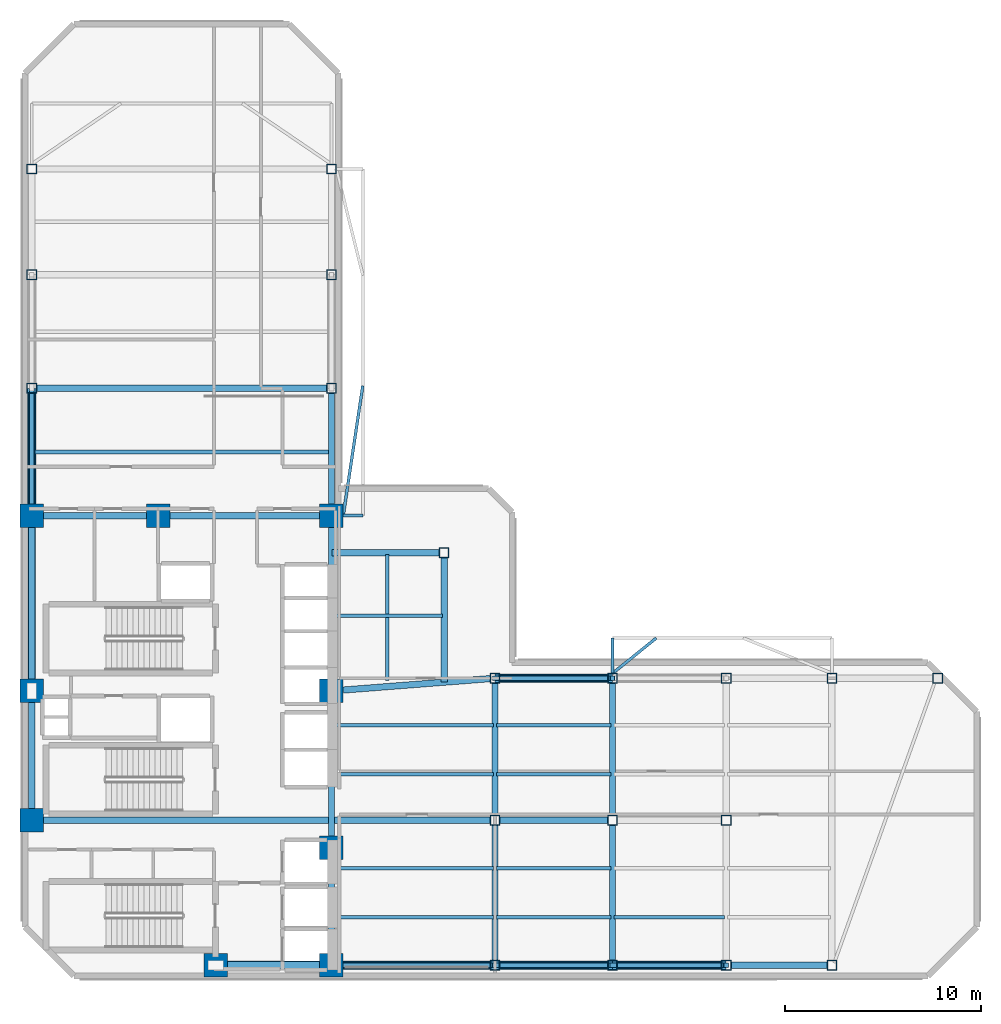
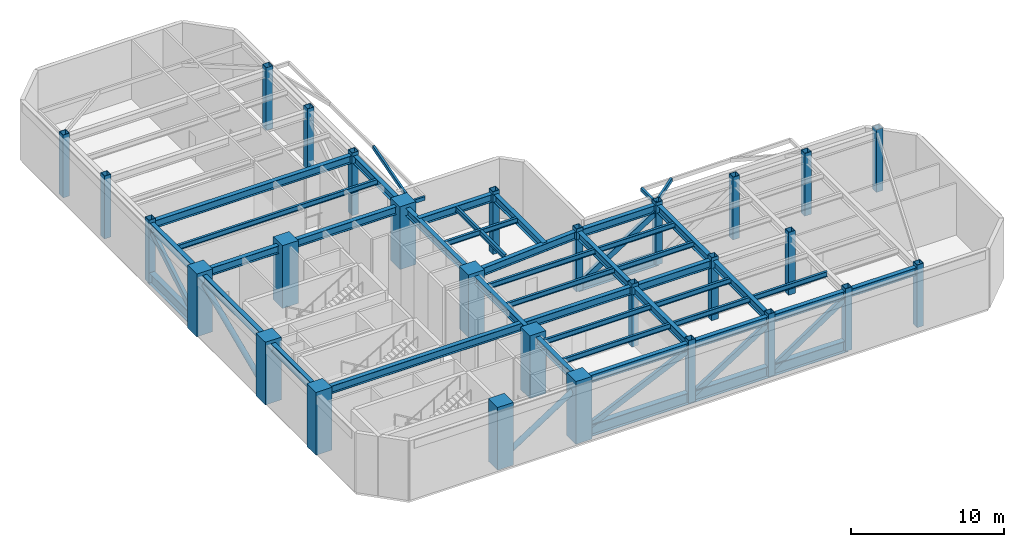
# One storey, part 1 of 9: 40 beams, 28 columns, 12 members.
"""IFC4 building model written with IfcOpenShell, lengths in metres."""

from ifc_helpers import new_model, si_unit, direction, frame, origin, origin_2d, place, context, subcontext, project, spatial, rectangle, hollow_rectangle, hollow_circle, i_section, extrude, material, material_profile, profile_set, type_object, element, save


model = new_model("IFC4")

# Units and contexts
model_context = context("Model", 3, precision=1e-05, world=origin(), true_north=direction((0.0, 1.0)))
body_context = subcontext(model_context, "Body", "Model", "MODEL_VIEW")
ifc_project = project(units=[si_unit("LENGTHUNIT", "METRE"), si_unit("AREAUNIT", "SQUARE_METRE"), si_unit("VOLUMEUNIT", "CUBIC_METRE"), si_unit("PLANEANGLEUNIT", "RADIAN"), si_unit("MASSUNIT", "GRAM", prefix="KILO")], contexts=[model_context])

# Site, building, storey
site_placement = place(None, origin())
site = spatial("IfcSite", under=ifc_project, at=site_placement, CompositionType="ELEMENT")
building_placement = place(site_placement, origin())
building = spatial("IfcBuilding", under=site, at=building_placement, Name="Mawjaban Terraces University", CompositionType="ELEMENT")
storey_placement = place(building_placement, frame((0.0, 0.0, 165.800048828125)))
storey = spatial("IfcBuildingStorey", under=building, at=storey_placement, Name="L40", CompositionType="ELEMENT", Elevation=165.800048828125)

# Columns
ifc_material_1 = material(Name="Concrete C60/75", Category="concrete")
ifc_material_profile_1 = material_profile(ifc_material_1, rectangle(XDim=1.199951171875, YDim=1.199951171875, at=origin_2d()), Name="RC1200X1200")
ifc_profile_set_1 = profile_set([ifc_material_profile_1], Name="Concrete C60/75")
column_type_1 = type_object("IfcColumnType", Name="Col_RC1200X1200", PredefinedType="COLUMN", material=ifc_profile_set_1)
for number, where, z_axis, x_axis, name in (
    (1, (31.75, 0.550048828125, 0.0), (0.0, 0.0, 1.0), (1.0, 0.0, 0.0), "L40 Column CC2"),
    (2, (37.64990234375, 0.550048828125, 0.0), (0.0, 0.0, 1.0), (1.0, 0.0, 0.0), "L40 Column CC3"),
    (3, (22.35009765625, 7.949951171875, 0.0), (0.0, 0.0, 1.0), (1.0, 0.0, 0.0), "L40 Column CC4"),
    (4, (37.64990234375, 6.550048828125, 0.0), (0.0, 0.0, 1.0), (1.0, 0.0, 0.0), "L40 Column CC5"),
    (5, (22.35009765625, 14.550048828125, 0.0), (0.0, 0.0, 1.0), (1.0, 0.0, 0.0), "L40 Column CC6"),
    (6, (37.64990234375, 14.550048828125, 0.0), (0.0, 0.0, 1.0), (1.0, 0.0, 0.0), "L40 Column CC7"),
    (7, (22.35009765625, 23.5, 0.0), (0.0, 0.0, 1.0), (1.0, 0.0, 0.0), "L40 Column CC8"),
    (8, (28.800048828125, 23.5, 0.0), (0.0, 0.0, 1.0), (1.0, 0.0, 0.0), "L40 Column CC9"),
    (9, (37.64990234375, 23.5, 0.0), (0.0, 0.0, 1.0), (1.0, 0.0, 0.0), "L40 Column CC10"),
):
    element("IfcColumn", number, at=place(storey_placement, frame(where, z_axis=z_axis, x_axis=x_axis)), inside=storey, type_object=column_type_1, Name=name, PredefinedType="COLUMN", context=body_context, shape_type="SweptSolid", body=[
        extrude(rectangle(XDim=1.199951171875, YDim=1.199951171875, at=origin_2d()), origin(), (0.0, 0.0, 1.0), 5.0),
    ])
ifc_material_2 = material(Name="Steel EN 10210-1 S355J2H", Category="steel")
ifc_material_profile_2 = material_profile(ifc_material_2, hollow_rectangle(XDim=0.5, YDim=0.5, WallThickness=0.02490234375, at=origin_2d()), Name="SHS500X500X25")
ifc_profile_set_2 = profile_set([ifc_material_profile_2], Name="Steel EN 10210-1 S355J2H")
column_type_2 = type_object("IfcColumnType", Name="Col_SHS500X500X25", PredefinedType="COLUMN", material=ifc_profile_set_2)
for number, where, z_axis, x_axis, name in (
    (10, (46.0, 0.550048828125, 0.0), (0.0, 0.0, 1.0), (1.0, 0.0, 0.0), "L40 Column TE-460-005"),
    (11, (46.0, 7.949951171875, 0.0), (0.0, 0.0, 1.0), (1.0, 0.0, 0.0), "L40 Column TE-460-080"),
    (12, (46.0, 15.199951171875, 0.0), (0.0, 0.0, 1.0), (1.0, 0.0, 0.0), "L40 Column TE-460-152"),
    (13, (52.0, 0.550048828125, 0.0), (0.0, 0.0, 1.0), (1.0, 0.0, 0.0), "L40 Column TE-520-005"),
    (14, (52.0, 7.949951171875, 0.0), (0.0, 0.0, 1.0), (1.0, 0.0, 0.0), "L40 Column TE-520-080"),
    (15, (52.0, 15.199951171875, 0.0), (0.0, 0.0, 1.0), (1.0, 0.0, 0.0), "L40 Column TE-520-152"),
    (16, (57.800048828125, 0.550048828125, 0.0), (0.0, 0.0, 1.0), (1.0, 0.0, 0.0), "L40 Column TE-578-005"),
    (17, (57.800048828125, 7.949951171875, 0.0), (0.0, 0.0, 1.0), (1.0, 0.0, 0.0), "L40 Column TE-578-080"),
    (18, (57.800048828125, 15.199951171875, 0.0), (0.0, 0.0, 1.0), (1.0, 0.0, 0.0), "L40 Column TE-578-152"),
    (19, (63.199951171875, 0.550048828125, 0.0), (0.0, 0.0, 1.0), (1.0, 0.0, 0.0), "L40 Column TE-632-005"),
    (20, (63.199951171875, 15.199951171875, 0.0), (0.0, 0.0, 1.0), (1.0, 0.0, 0.0), "L40 Column TE-632-152"),
    (21, (68.60009765625, 15.199951171875, 0.0), (0.0, 0.0, 1.0), (1.0, 0.0, 0.0), "L40 Column TE-686-152"),
    (22, (22.35009765625, 30.0, 0.0), (0.0, 0.0, 1.0), (1.0, 0.0, 0.0), "L40 Column TN-223-300"),
    (23, (37.64990234375, 30.0, 0.0), (0.0, 0.0, 1.0), (1.0, 0.0, 0.0), "L40 Column TN-376-300"),
    (24, (22.35009765625, 35.800048828125, 0.0), (0.0, 0.0, 1.0), (1.0, 0.0, 0.0), "L40 Column TN-223-358"),
    (25, (37.64990234375, 35.800048828125, 0.0), (0.0, 0.0, 1.0), (1.0, 0.0, 0.0), "L40 Column TN-376-358"),
    (26, (22.35009765625, 41.199951171875, 0.0), (0.0, 0.0, 1.0), (1.0, 0.0, 0.0), "L40 Column TN-223-412"),
    (27, (37.64990234375, 41.199951171875, 0.0), (0.0, 0.0, 1.0), (1.0, 0.0, 0.0), "L40 Column TN-376-412"),
    (28, (43.39990234375, 21.60009765625, 0.0), (0.0, 0.0, 1.0), (1.0, 0.0, 0.0), "L40 Column TS-434-216"),
):
    element("IfcColumn", number, at=place(storey_placement, frame(where, z_axis=z_axis, x_axis=x_axis)), inside=storey, type_object=column_type_2, Name=name, PredefinedType="COLUMN", context=body_context, shape_type="SweptSolid", body=[
        extrude(hollow_rectangle(XDim=0.5, YDim=0.5, WallThickness=0.02490234375, at=origin_2d()), origin(), (0.0, 0.0, 1.0), 5.0),
    ])

# Beams
ifc_material_profile_3 = material_profile(ifc_material_2, hollow_rectangle(XDim=0.14990234375, YDim=0.300048828125, WallThickness=0.012451171875, at=origin_2d()), Name="RHS300X150X12.5")
ifc_profile_set_3 = profile_set([ifc_material_profile_3], Name="Steel EN 10210-1 S355J2H")
beam_type_1 = type_object("IfcBeamType", Name="BalconyCantileverSpandrel_RHS", PredefinedType="SPANDREL", material=ifc_profile_set_3)
beam_1_placement = place(storey_placement, frame((52.0, 15.449951171875, 4.58984375), z_axis=(0.0, 1.0, 0.0), x_axis=(-1.0, 0.0, 0.0)))
element("IfcBeam", 29, at=beam_1_placement, inside=storey, type_object=beam_type_1, Name="L40 Exterior Outrigger BAL-L41-N.1", PredefinedType="SPANDREL", context=body_context, shape_type="SweptSolid", body=[
    extrude(hollow_rectangle(XDim=0.14990234375, YDim=0.300048828125, WallThickness=0.012451171875, at=origin_2d()), origin(), (0.0, 0.0, 1.0), 1.800048828125),
])
beam_2_placement = place(storey_placement, frame((52.0, 15.449951171875, 4.58984375), z_axis=(0.77812693244, 0.628107058559, 0.0), x_axis=(-0.628107058559, 0.77812693244, 0.0)))
element("IfcBeam", 30, at=beam_2_placement, inside=storey, type_object=beam_type_1, Name="L40 Exterior Diagonal Strut BAL-L41-N.1", PredefinedType="SPANDREL", context=body_context, shape_type="SweptSolid", body=[
    extrude(hollow_rectangle(XDim=0.14990234375, YDim=0.300048828125, WallThickness=0.012451171875, at=origin_2d()), origin(), (0.0, 0.0, 1.0), 2.86572265625),
])
beam_3_placement = place(storey_placement, frame((38.25, 23.5, 4.58984375), z_axis=(1.0, 0.0, 0.0), x_axis=(0.0, 1.0, 0.0)))
element("IfcBeam", 31, at=beam_3_placement, inside=storey, type_object=beam_type_1, Name="L40 Exterior Outrigger BAL-L41-E.1", PredefinedType="SPANDREL", context=body_context, shape_type="SweptSolid", body=[
    extrude(hollow_rectangle(XDim=0.14990234375, YDim=0.300048828125, WallThickness=0.012451171875, at=origin_2d()), origin(), (0.0, 0.0, 1.0), 1.0),
])
beam_4_placement = place(storey_placement, frame((38.25, 23.5, 4.58984375), z_axis=(0.149145215916, 0.988815303568, 0.0), x_axis=(-0.988815303568, 0.149145215916, 0.0)))
element("IfcBeam", 32, at=beam_4_placement, inside=storey, type_object=beam_type_1, Name="L40 Exterior Diagonal Strut BAL-L41-E.1", PredefinedType="SPANDREL", context=body_context, shape_type="SweptSolid", body=[
    extrude(hollow_rectangle(XDim=0.14990234375, YDim=0.300048828125, WallThickness=0.012451171875, at=origin_2d()), origin(), (0.0, 0.0, 1.0), 6.704833984375),
])
ifc_material_3 = material(Name="Steel ASTM A572 Grade 50", Category="steel")
ifc_material_profile_4 = material_profile(ifc_material_3, i_section(OverallWidth=0.324951171875, OverallDepth=0.615966796875, WebThickness=0.013916015625, FlangeThickness=0.021484375, at=origin_2d()), Name="W610X174")
ifc_profile_set_4 = profile_set([ifc_material_profile_4], Name="Steel ASTM A572 Grade 50")
beam_type_2 = type_object("IfcBeamType", Name="Beam_B_W610X174", PredefinedType="BEAM", material=ifc_profile_set_4)
beam_5_placement = place(storey_placement, frame((38.25, 0.550048828125, 4.431884765625), z_axis=(1.0, 0.0, 0.0), x_axis=(0.0, 1.0, 0.0)))
element("IfcBeam", 33, at=beam_5_placement, inside=storey, type_object=beam_type_2, Name="L40 Beam BM-L40-EW-01", PredefinedType="BEAM", context=body_context, shape_type="SweptSolid", body=[
    extrude(i_section(OverallWidth=0.324951171875, OverallDepth=0.615966796875, WebThickness=0.013916015625, FlangeThickness=0.021484375, at=origin_2d()), origin(), (0.0, 0.0, 1.0), 7.5),
])
beam_6_placement = place(storey_placement, frame((46.25, 0.550048828125, 4.431884765625), z_axis=(1.0, 0.0, 0.0), x_axis=(0.0, 1.0, 0.0)))
element("IfcBeam", 34, at=beam_6_placement, inside=storey, type_object=beam_type_2, Name="L40 Beam BM-L40-EW-02", PredefinedType="BEAM", context=body_context, shape_type="SweptSolid", body=[
    extrude(i_section(OverallWidth=0.324951171875, OverallDepth=0.615966796875, WebThickness=0.013916015625, FlangeThickness=0.021484375, at=origin_2d()), origin(), (0.0, 0.0, 1.0), 5.5),
])
beam_7_placement = place(storey_placement, frame((52.25, 0.550048828125, 4.431884765625), z_axis=(1.0, 0.0, 0.0), x_axis=(0.0, 1.0, 0.0)))
element("IfcBeam", 35, at=beam_7_placement, inside=storey, type_object=beam_type_2, Name="L40 Beam BM-L40-EW-03", PredefinedType="BEAM", context=body_context, shape_type="SweptSolid", body=[
    extrude(i_section(OverallWidth=0.324951171875, OverallDepth=0.615966796875, WebThickness=0.013916015625, FlangeThickness=0.021484375, at=origin_2d()), origin(), (0.0, 0.0, 1.0), 5.300048828125),
])
beam_8_placement = place(storey_placement, frame((58.050048828125, 0.550048828125, 4.431884765625), z_axis=(1.0, 0.0, 0.0), x_axis=(0.0, 1.0, 0.0)))
element("IfcBeam", 36, at=beam_8_placement, inside=storey, type_object=beam_type_2, Name="L40 Beam BM-L40-EW-04", PredefinedType="BEAM", context=body_context, shape_type="SweptSolid", body=[
    extrude(i_section(OverallWidth=0.324951171875, OverallDepth=0.615966796875, WebThickness=0.013916015625, FlangeThickness=0.021484375, at=origin_2d()), origin(), (0.0, 0.0, 1.0), 4.89990234375),
])
beam_9_placement = place(storey_placement, frame((22.949951171875, 7.949951171875, 4.431884765625), z_axis=(1.0, 0.0, 0.0), x_axis=(0.0, 1.0, 0.0)))
element("IfcBeam", 37, at=beam_9_placement, inside=storey, type_object=beam_type_2, Name="L40 Beam BM-L40-EW-05", PredefinedType="BEAM", context=body_context, shape_type="SweptSolid", body=[
    extrude(i_section(OverallWidth=0.324951171875, OverallDepth=0.615966796875, WebThickness=0.013916015625, FlangeThickness=0.021484375, at=origin_2d()), origin(), (0.0, 0.0, 1.0), 22.800048828125),
])
for number, where, z_axis, x_axis, name in (
    (38, (46.25, 7.949951171875, 4.431884765625), (1.0, 0.0, 0.0), (0.0, 1.0, 0.0), "L40 Beam BM-L40-EW-06"),
    (39, (46.25, 15.199951171875, 4.431884765625), (1.0, 0.0, 0.0), (0.0, 1.0, 0.0), "L40 Beam BM-L40-EW-08"),
):
    element("IfcBeam", number, at=place(storey_placement, frame(where, z_axis=z_axis, x_axis=x_axis)), inside=storey, type_object=beam_type_2, Name=name, PredefinedType="BEAM", context=body_context, shape_type="SweptSolid", body=[
        extrude(i_section(OverallWidth=0.324951171875, OverallDepth=0.615966796875, WebThickness=0.013916015625, FlangeThickness=0.021484375, at=origin_2d()), origin(), (0.0, 0.0, 1.0), 5.5),
    ])
beam_10_placement = place(storey_placement, frame((22.949951171875, 23.5, 4.431884765625), z_axis=(1.0, 0.0, 0.0), x_axis=(0.0, 1.0, 0.0)))
element("IfcBeam", 40, at=beam_10_placement, inside=storey, type_object=beam_type_2, Name="L40 Beam BM-L40-EW-12", PredefinedType="BEAM", context=body_context, shape_type="SweptSolid", body=[
    extrude(i_section(OverallWidth=0.324951171875, OverallDepth=0.615966796875, WebThickness=0.013916015625, FlangeThickness=0.021484375, at=origin_2d()), origin(), (0.0, 0.0, 1.0), 5.25),
])
beam_11_placement = place(storey_placement, frame((29.39990234375, 23.5, 4.431884765625), z_axis=(1.0, 0.0, 0.0), x_axis=(0.0, 1.0, 0.0)))
element("IfcBeam", 41, at=beam_11_placement, inside=storey, type_object=beam_type_2, Name="L40 Beam BM-L40-EW-13", PredefinedType="BEAM", context=body_context, shape_type="SweptSolid", body=[
    extrude(i_section(OverallWidth=0.324951171875, OverallDepth=0.615966796875, WebThickness=0.013916015625, FlangeThickness=0.021484375, at=origin_2d()), origin(), (0.0, 0.0, 1.0), 7.650146484375),
])
beam_12_placement = place(storey_placement, frame((22.60009765625, 30.0, 4.431884765625), z_axis=(1.0, 0.0, 0.0), x_axis=(0.0, 1.0, 0.0)))
element("IfcBeam", 42, at=beam_12_placement, inside=storey, type_object=beam_type_2, Name="L40 Beam BM-L40-EW-14", PredefinedType="BEAM", context=body_context, shape_type="SweptSolid", body=[
    extrude(i_section(OverallWidth=0.324951171875, OverallDepth=0.615966796875, WebThickness=0.013916015625, FlangeThickness=0.021484375, at=origin_2d()), origin(), (0.0, 0.0, 1.0), 14.7998046875),
])
beam_13_placement = place(storey_placement, frame((22.35009765625, 8.550048828125, 4.431884765625), z_axis=(0.0, 1.0, 0.0), x_axis=(-1.0, 0.0, 0.0)))
element("IfcBeam", 43, at=beam_13_placement, inside=storey, type_object=beam_type_2, Name="L40 Beam BM-L40-NS-01", PredefinedType="BEAM", context=body_context, shape_type="SweptSolid", body=[
    extrude(i_section(OverallWidth=0.324951171875, OverallDepth=0.615966796875, WebThickness=0.013916015625, FlangeThickness=0.021484375, at=origin_2d()), origin(), (0.0, 0.0, 1.0), 5.39990234375),
])
beam_14_placement = place(storey_placement, frame((22.35009765625, 15.14990234375, 4.431884765625), z_axis=(0.0, 1.0, 0.0), x_axis=(-1.0, 0.0, 0.0)))
element("IfcBeam", 44, at=beam_14_placement, inside=storey, type_object=beam_type_2, Name="L40 Beam BM-L40-NS-02", PredefinedType="BEAM", context=body_context, shape_type="SweptSolid", body=[
    extrude(i_section(OverallWidth=0.324951171875, OverallDepth=0.615966796875, WebThickness=0.013916015625, FlangeThickness=0.021484375, at=origin_2d()), origin(), (0.0, 0.0, 1.0), 7.75),
])
beam_15_placement = place(storey_placement, frame((22.35009765625, 24.10009765625, 4.431884765625), z_axis=(0.0, 1.0, 0.0), x_axis=(-1.0, 0.0, 0.0)))
element("IfcBeam", 45, at=beam_15_placement, inside=storey, type_object=beam_type_2, Name="L40 Beam BM-L40-NS-03", PredefinedType="BEAM", context=body_context, shape_type="SweptSolid", body=[
    extrude(i_section(OverallWidth=0.324951171875, OverallDepth=0.615966796875, WebThickness=0.013916015625, FlangeThickness=0.021484375, at=origin_2d()), origin(), (0.0, 0.0, 1.0), 5.64990234375),
])
beam_16_placement = place(storey_placement, frame((37.64990234375, 1.14990234375, 4.431884765625), z_axis=(0.0, 1.0, 0.0), x_axis=(-1.0, 0.0, 0.0)))
element("IfcBeam", 46, at=beam_16_placement, inside=storey, type_object=beam_type_2, Name="L40 Beam BM-L40-NS-06", PredefinedType="BEAM", context=body_context, shape_type="SweptSolid", body=[
    extrude(i_section(OverallWidth=0.324951171875, OverallDepth=0.615966796875, WebThickness=0.013916015625, FlangeThickness=0.021484375, at=origin_2d()), origin(), (0.0, 0.0, 1.0), 4.800048828125),
])
beam_17_placement = place(storey_placement, frame((37.64990234375, 7.14990234375, 4.431884765625), z_axis=(0.0, 1.0, 0.0), x_axis=(-1.0, 0.0, 0.0)))
element("IfcBeam", 47, at=beam_17_placement, inside=storey, type_object=beam_type_2, Name="L40 Beam BM-L40-NS-07", PredefinedType="BEAM", context=body_context, shape_type="SweptSolid", body=[
    extrude(i_section(OverallWidth=0.324951171875, OverallDepth=0.615966796875, WebThickness=0.013916015625, FlangeThickness=0.021484375, at=origin_2d()), origin(), (0.0, 0.0, 1.0), 6.800048828125),
])
beam_18_placement = place(storey_placement, frame((37.64990234375, 15.14990234375, 4.431884765625), z_axis=(0.0, 1.0, 0.0), x_axis=(-1.0, 0.0, 0.0)))
element("IfcBeam", 48, at=beam_18_placement, inside=storey, type_object=beam_type_2, Name="L40 Beam BM-L40-NS-08", PredefinedType="BEAM", context=body_context, shape_type="SweptSolid", body=[
    extrude(i_section(OverallWidth=0.324951171875, OverallDepth=0.615966796875, WebThickness=0.013916015625, FlangeThickness=0.021484375, at=origin_2d()), origin(), (0.0, 0.0, 1.0), 7.75),
])
beam_19_placement = place(storey_placement, frame((37.64990234375, 24.10009765625, 4.431884765625), z_axis=(0.0, 1.0, 0.0), x_axis=(-1.0, 0.0, 0.0)))
element("IfcBeam", 49, at=beam_19_placement, inside=storey, type_object=beam_type_2, Name="L40 Beam BM-L40-NS-09", PredefinedType="BEAM", context=body_context, shape_type="SweptSolid", body=[
    extrude(i_section(OverallWidth=0.324951171875, OverallDepth=0.615966796875, WebThickness=0.013916015625, FlangeThickness=0.021484375, at=origin_2d()), origin(), (0.0, 0.0, 1.0), 5.64990234375),
])
beam_20_placement = place(storey_placement, frame((46.0, 0.800048828125, 4.431884765625), z_axis=(0.0, 1.0, 0.0), x_axis=(-1.0, 0.0, 0.0)))
element("IfcBeam", 50, at=beam_20_placement, inside=storey, type_object=beam_type_2, Name="L40 Beam BM-L40-NS-12", PredefinedType="BEAM", context=body_context, shape_type="SweptSolid", body=[
    extrude(i_section(OverallWidth=0.324951171875, OverallDepth=0.615966796875, WebThickness=0.013916015625, FlangeThickness=0.021484375, at=origin_2d()), origin(), (0.0, 0.0, 1.0), 6.89990234375),
])
beam_21_placement = place(storey_placement, frame((46.0, 8.199951171875, 4.431884765625), z_axis=(0.0, 1.0, 0.0), x_axis=(-1.0, 0.0, 0.0)))
element("IfcBeam", 51, at=beam_21_placement, inside=storey, type_object=beam_type_2, Name="L40 Beam BM-L40-NS-13", PredefinedType="BEAM", context=body_context, shape_type="SweptSolid", body=[
    extrude(i_section(OverallWidth=0.324951171875, OverallDepth=0.615966796875, WebThickness=0.013916015625, FlangeThickness=0.021484375, at=origin_2d()), origin(), (0.0, 0.0, 1.0), 6.75),
])
beam_22_placement = place(storey_placement, frame((52.0, 0.800048828125, 4.431884765625), z_axis=(0.0, 1.0, 0.0), x_axis=(-1.0, 0.0, 0.0)))
element("IfcBeam", 52, at=beam_22_placement, inside=storey, type_object=beam_type_2, Name="L40 Beam BM-L40-NS-14", PredefinedType="BEAM", context=body_context, shape_type="SweptSolid", body=[
    extrude(i_section(OverallWidth=0.324951171875, OverallDepth=0.615966796875, WebThickness=0.013916015625, FlangeThickness=0.021484375, at=origin_2d()), origin(), (0.0, 0.0, 1.0), 6.89990234375),
])
beam_23_placement = place(storey_placement, frame((52.0, 8.199951171875, 4.431884765625), z_axis=(0.0, 1.0, 0.0), x_axis=(-1.0, 0.0, 0.0)))
element("IfcBeam", 53, at=beam_23_placement, inside=storey, type_object=beam_type_2, Name="L40 Beam BM-L40-NS-15", PredefinedType="BEAM", context=body_context, shape_type="SweptSolid", body=[
    extrude(i_section(OverallWidth=0.324951171875, OverallDepth=0.615966796875, WebThickness=0.013916015625, FlangeThickness=0.021484375, at=origin_2d()), origin(), (0.0, 0.0, 1.0), 6.75),
])
beam_24_placement = place(storey_placement, frame((38.248046875, 14.596923828125, 4.431884765625), z_axis=(0.996984614132, 0.077599479273, 0.0), x_axis=(-0.077599479273, 0.996984614132, 0.0)))
element("IfcBeam", 54, at=beam_24_placement, inside=storey, type_object=beam_type_2, Name="L40 Beam BM-L40-CTIE", PredefinedType="BEAM", context=body_context, shape_type="SweptSolid", body=[
    extrude(i_section(OverallWidth=0.324951171875, OverallDepth=0.615966796875, WebThickness=0.013916015625, FlangeThickness=0.021484375, at=origin_2d()), origin(), (0.0, 0.0, 1.0), 7.525634765625),
])
beam_25_placement = place(storey_placement, frame((37.679931640625, 21.60009765625, 4.431884765625), z_axis=(1.0, 0.0, 0.0), x_axis=(0.0, 1.0, 0.0)))
element("IfcBeam", 55, at=beam_25_placement, inside=storey, type_object=beam_type_2, Name="L40 Spur Tie Girder West", PredefinedType="BEAM", context=body_context, shape_type="SweptSolid", body=[
    extrude(i_section(OverallWidth=0.324951171875, OverallDepth=0.615966796875, WebThickness=0.013916015625, FlangeThickness=0.021484375, at=origin_2d()), origin(), (0.0, 0.0, 1.0), 5.469970703125),
])
beam_26_placement = place(storey_placement, frame((43.39990234375, 15.0, 4.431884765625), z_axis=(0.0, 1.0, 0.0), x_axis=(-1.0, 0.0, 0.0)))
element("IfcBeam", 56, at=beam_26_placement, inside=storey, type_object=beam_type_2, Name="L40 Spur Tie Girder South", PredefinedType="BEAM", context=body_context, shape_type="SweptSolid", body=[
    extrude(i_section(OverallWidth=0.324951171875, OverallDepth=0.615966796875, WebThickness=0.013916015625, FlangeThickness=0.021484375, at=origin_2d()), origin(), (0.0, 0.0, 1.0), 6.35009765625),
])
ifc_material_profile_5 = material_profile(ifc_material_3, i_section(OverallWidth=0.179931640625, OverallDepth=0.4130859375, WebThickness=0.009765625, FlangeThickness=0.01611328125, at=origin_2d()), Name="W410X74")
ifc_profile_set_5 = profile_set([ifc_material_profile_5], Name="Steel ASTM A572 Grade 50")
beam_type_3 = type_object("IfcBeamType", Name="Beam_J_W410X74", PredefinedType="JOIST", material=ifc_profile_set_5)
beam_27_placement = place(storey_placement, frame((37.72998046875, 3.0, 4.532958984375), z_axis=(1.0, 0.0, 0.0), x_axis=(0.0, 1.0, 0.0)))
element("IfcBeam", 57, at=beam_27_placement, inside=storey, type_object=beam_type_3, Name="L40 Composite Joist JST-L40-01", PredefinedType="JOIST", context=body_context, shape_type="SweptSolid", body=[
    extrude(i_section(OverallWidth=0.179931640625, OverallDepth=0.4130859375, WebThickness=0.009765625, FlangeThickness=0.01611328125, at=origin_2d()), origin(), (0.0, 0.0, 1.0), 8.18994140625),
])
beam_28_placement = place(storey_placement, frame((46.080078125, 3.0, 4.532958984375), z_axis=(1.0, 0.0, 0.0), x_axis=(0.0, 1.0, 0.0)))
element("IfcBeam", 58, at=beam_28_placement, inside=storey, type_object=beam_type_3, Name="L40 Composite Joist JST-L40-02", PredefinedType="JOIST", context=body_context, shape_type="SweptSolid", body=[
    extrude(i_section(OverallWidth=0.179931640625, OverallDepth=0.4130859375, WebThickness=0.009765625, FlangeThickness=0.01611328125, at=origin_2d()), origin(), (0.0, 0.0, 1.0), 5.83984375),
])
beam_29_placement = place(storey_placement, frame((52.080078125, 3.0, 4.532958984375), z_axis=(1.0, 0.0, 0.0), x_axis=(0.0, 1.0, 0.0)))
element("IfcBeam", 59, at=beam_29_placement, inside=storey, type_object=beam_type_3, Name="L40 Composite Joist JST-L40-03", PredefinedType="JOIST", context=body_context, shape_type="SweptSolid", body=[
    extrude(i_section(OverallWidth=0.179931640625, OverallDepth=0.4130859375, WebThickness=0.009765625, FlangeThickness=0.01611328125, at=origin_2d()), origin(), (0.0, 0.0, 1.0), 5.639892578125),
])
beam_30_placement = place(storey_placement, frame((37.72998046875, 5.5, 4.532958984375), z_axis=(1.0, 0.0, 0.0), x_axis=(0.0, 1.0, 0.0)))
element("IfcBeam", 60, at=beam_30_placement, inside=storey, type_object=beam_type_3, Name="L40 Composite Joist JST-L40-05", PredefinedType="JOIST", context=body_context, shape_type="SweptSolid", body=[
    extrude(i_section(OverallWidth=0.179931640625, OverallDepth=0.4130859375, WebThickness=0.009765625, FlangeThickness=0.01611328125, at=origin_2d()), origin(), (0.0, 0.0, 1.0), 8.18994140625),
])
beam_31_placement = place(storey_placement, frame((46.080078125, 5.5, 4.532958984375), z_axis=(1.0, 0.0, 0.0), x_axis=(0.0, 1.0, 0.0)))
element("IfcBeam", 61, at=beam_31_placement, inside=storey, type_object=beam_type_3, Name="L40 Composite Joist JST-L40-06", PredefinedType="JOIST", context=body_context, shape_type="SweptSolid", body=[
    extrude(i_section(OverallWidth=0.179931640625, OverallDepth=0.4130859375, WebThickness=0.009765625, FlangeThickness=0.01611328125, at=origin_2d()), origin(), (0.0, 0.0, 1.0), 5.83984375),
])
beam_32_placement = place(storey_placement, frame((37.72998046875, 10.300048828125, 4.532958984375), z_axis=(1.0, 0.0, 0.0), x_axis=(0.0, 1.0, 0.0)))
element("IfcBeam", 62, at=beam_32_placement, inside=storey, type_object=beam_type_3, Name="L40 Composite Joist JST-L40-09", PredefinedType="JOIST", context=body_context, shape_type="SweptSolid", body=[
    extrude(i_section(OverallWidth=0.179931640625, OverallDepth=0.4130859375, WebThickness=0.009765625, FlangeThickness=0.01611328125, at=origin_2d()), origin(), (0.0, 0.0, 1.0), 8.18994140625),
])
beam_33_placement = place(storey_placement, frame((46.080078125, 10.300048828125, 4.532958984375), z_axis=(1.0, 0.0, 0.0), x_axis=(0.0, 1.0, 0.0)))
element("IfcBeam", 63, at=beam_33_placement, inside=storey, type_object=beam_type_3, Name="L40 Composite Joist JST-L40-10", PredefinedType="JOIST", context=body_context, shape_type="SweptSolid", body=[
    extrude(i_section(OverallWidth=0.179931640625, OverallDepth=0.4130859375, WebThickness=0.009765625, FlangeThickness=0.01611328125, at=origin_2d()), origin(), (0.0, 0.0, 1.0), 5.83984375),
])
beam_34_placement = place(storey_placement, frame((37.72998046875, 12.800048828125, 4.532958984375), z_axis=(1.0, 0.0, 0.0), x_axis=(0.0, 1.0, 0.0)))
element("IfcBeam", 64, at=beam_34_placement, inside=storey, type_object=beam_type_3, Name="L40 Composite Joist JST-L40-13", PredefinedType="JOIST", context=body_context, shape_type="SweptSolid", body=[
    extrude(i_section(OverallWidth=0.179931640625, OverallDepth=0.4130859375, WebThickness=0.009765625, FlangeThickness=0.01611328125, at=origin_2d()), origin(), (0.0, 0.0, 1.0), 8.18994140625),
])
beam_35_placement = place(storey_placement, frame((46.080078125, 12.800048828125, 4.532958984375), z_axis=(1.0, 0.0, 0.0), x_axis=(0.0, 1.0, 0.0)))
element("IfcBeam", 65, at=beam_35_placement, inside=storey, type_object=beam_type_3, Name="L40 Composite Joist JST-L40-14", PredefinedType="JOIST", context=body_context, shape_type="SweptSolid", body=[
    extrude(i_section(OverallWidth=0.179931640625, OverallDepth=0.4130859375, WebThickness=0.009765625, FlangeThickness=0.01611328125, at=origin_2d()), origin(), (0.0, 0.0, 1.0), 5.83984375),
])
beam_36_placement = place(storey_placement, frame((37.72998046875, 18.39990234375, 4.532958984375), z_axis=(1.0, 0.0, 0.0), x_axis=(0.0, 1.0, 0.0)))
element("IfcBeam", 66, at=beam_36_placement, inside=storey, type_object=beam_type_3, Name="L40 Composite Joist JST-L40-17", PredefinedType="JOIST", context=body_context, shape_type="SweptSolid", body=[
    extrude(i_section(OverallWidth=0.179931640625, OverallDepth=0.4130859375, WebThickness=0.009765625, FlangeThickness=0.01611328125, at=origin_2d()), origin(), (0.0, 0.0, 1.0), 5.590087890625),
])
beam_37_placement = place(storey_placement, frame((22.429931640625, 26.75, 4.532958984375), z_axis=(1.0, 0.0, 0.0), x_axis=(0.0, 1.0, 0.0)))
element("IfcBeam", 67, at=beam_37_placement, inside=storey, type_object=beam_type_3, Name="L40 Composite Joist JST-L40-18", PredefinedType="JOIST", context=body_context, shape_type="SweptSolid", body=[
    extrude(i_section(OverallWidth=0.179931640625, OverallDepth=0.4130859375, WebThickness=0.009765625, FlangeThickness=0.01611328125, at=origin_2d()), origin(), (0.0, 0.0, 1.0), 15.14013671875),
])
beam_38_placement = place(storey_placement, frame((40.5, 15.080078125, 4.532958984375), z_axis=(0.0, 1.0, 0.0), x_axis=(-1.0, 0.0, 0.0)))
element("IfcBeam", 68, at=beam_38_placement, inside=storey, type_object=beam_type_3, Name="L40 Composite Joist JST-L40-NS-21", PredefinedType="JOIST", context=body_context, shape_type="SweptSolid", body=[
    extrude(i_section(OverallWidth=0.179931640625, OverallDepth=0.4130859375, WebThickness=0.009765625, FlangeThickness=0.01611328125, at=origin_2d()), origin(), (0.0, 0.0, 1.0), 6.43994140625),
])

# Members
ifc_material_profile_6 = material_profile(ifc_material_2, hollow_circle(Radius=0.203125, WallThickness=0.01611328125, at=origin_2d()), Name="CHS406.4X16")
ifc_profile_set_6 = profile_set([ifc_material_profile_6], Name="Steel EN 10210-1 S355J2H")
member_type_1 = type_object("IfcMemberType", Name="Mem_BRACE_CHS406.4X16", PredefinedType="BRACE", material=ifc_profile_set_6)
member_1_placement = place(storey_placement, frame((31.75, 0.550048828125, 0.349853515625), z_axis=(0.838109079242, 0.0, 0.545502677621), x_axis=(0.0, 1.0, 0.0)))
element("IfcMember", 69, at=member_1_placement, inside=storey, type_object=member_type_1, Name="L40 Outrigger Truss Diagonal OUT-E1", PredefinedType="BRACE", context=body_context, shape_type="SweptSolid", body=[
    extrude(hollow_circle(Radius=0.203125, WallThickness=0.01611328125, at=origin_2d()), origin(), (0.0, 0.0, 1.0), 7.03955078125),
])
member_2_placement = place(storey_placement, frame((22.35009765625, 14.550048828125, 0.349853515625), z_axis=(0.0, 0.918981574311, 0.394300476891), x_axis=(-1.0, 0.0, 0.0)))
element("IfcMember", 70, at=member_2_placement, inside=storey, type_object=member_type_1, Name="L40 Outrigger Truss Diagonal OUT-N1", PredefinedType="BRACE", context=body_context, shape_type="SweptSolid", body=[
    extrude(hollow_circle(Radius=0.203125, WallThickness=0.01611328125, at=origin_2d()), origin(), (0.0, 0.0, 1.0), 9.739013671875),
])
ifc_material_4 = material(Name="Steel ASTM A913 Grade 65", Category="steel")
ifc_material_profile_7 = material_profile(ifc_material_4, hollow_rectangle(XDim=0.25, YDim=0.449951171875, WallThickness=0.01611328125, at=origin_2d()), Name="RHS450X250X16")
ifc_profile_set_7 = profile_set([ifc_material_profile_7], Name="Steel ASTM A913 Grade 65")
member_type_2 = type_object("IfcMemberType", Name="Mem_BRACE_RHS450X250X16", PredefinedType="BRACE", material=ifc_profile_set_7)
member_3_placement = place(storey_placement, frame((37.64990234375, 0.550048828125, 0.349853515625), z_axis=(0.908529982762, 0.0, 0.41781966256), x_axis=(0.0, 1.0, 0.0)))
element("IfcMember", 71, at=member_3_placement, inside=storey, type_object=member_type_2, Name="L40 Belt Truss Brace BS1", PredefinedType="BRACE", context=body_context, shape_type="SweptSolid", body=[
    extrude(hollow_rectangle(XDim=0.25, YDim=0.449951171875, WallThickness=0.01611328125, at=origin_2d()), origin(), (0.0, 0.0, 1.0), 9.190673828125),
])
member_4_placement = place(storey_placement, frame((46.0, 0.550048828125, 0.349853515625), z_axis=(0.842265798855, 0.0, 0.539062449145), x_axis=(0.0, 1.0, 0.0)))
element("IfcMember", 72, at=member_4_placement, inside=storey, type_object=member_type_2, Name="L40 Belt Truss Brace BS2", PredefinedType="BRACE", context=body_context, shape_type="SweptSolid", body=[
    extrude(hollow_rectangle(XDim=0.25, YDim=0.449951171875, WallThickness=0.01611328125, at=origin_2d()), origin(), (0.0, 0.0, 1.0), 7.12353515625),
])
member_5_placement = place(storey_placement, frame((52.0, 0.550048828125, 0.349853515625), z_axis=(0.833811754242, 0.0, 0.552048873278), x_axis=(0.0, 1.0, 0.0)))
element("IfcMember", 73, at=member_5_placement, inside=storey, type_object=member_type_2, Name="L40 Belt Truss Brace BS3", PredefinedType="BRACE", context=body_context, shape_type="SweptSolid", body=[
    extrude(hollow_rectangle(XDim=0.25, YDim=0.449951171875, WallThickness=0.01611328125, at=origin_2d()), origin(), (0.0, 0.0, 1.0), 6.9560546875),
])
member_6_placement = place(storey_placement, frame((46.0, 15.199951171875, 0.349853515625), z_axis=(0.842265798855, 0.0, 0.539062449145), x_axis=(0.0, 1.0, 0.0)))
element("IfcMember", 74, at=member_6_placement, inside=storey, type_object=member_type_2, Name="L40 Belt Truss Brace BE2", PredefinedType="BRACE", context=body_context, shape_type="SweptSolid", body=[
    extrude(hollow_rectangle(XDim=0.25, YDim=0.449951171875, WallThickness=0.01611328125, at=origin_2d()), origin(), (0.0, 0.0, 1.0), 7.12353515625),
])
member_7_placement = place(storey_placement, frame((22.35009765625, 23.5, 0.349853515625), z_axis=(0.0, 0.860974165202, 0.508648687067), x_axis=(-1.0, 0.0, 0.0)))
element("IfcMember", 75, at=member_7_placement, inside=storey, type_object=member_type_2, Name="L40 Belt Truss Brace BW1", PredefinedType="BRACE", context=body_context, shape_type="SweptSolid", body=[
    extrude(hollow_rectangle(XDim=0.25, YDim=0.449951171875, WallThickness=0.01611328125, at=origin_2d()), origin(), (0.0, 0.0, 1.0), 7.549560546875),
])
ifc_material_profile_8 = material_profile(ifc_material_4, i_section(OverallWidth=0.41796875, OverallDepth=0.912109375, WebThickness=0.019287109375, FlangeThickness=0.031982421875, at=origin_2d()), Name="W920X342")
ifc_profile_set_8 = profile_set([ifc_material_profile_8], Name="Steel ASTM A913 Grade 65")
member_type_3 = type_object("IfcMemberType", Name="Mem_CHORD_W920X342", PredefinedType="CHORD", material=ifc_profile_set_8)
member_8_placement = place(storey_placement, frame((37.64990234375, 0.550048828125, 0.349853515625), z_axis=(1.0, 0.0, 0.0), x_axis=(0.0, 1.0, 0.0)))
element("IfcMember", 76, at=member_8_placement, inside=storey, type_object=member_type_3, Name="L40 Belt Truss Chord BS1", PredefinedType="CHORD", context=body_context, shape_type="SweptSolid", body=[
    extrude(i_section(OverallWidth=0.41796875, OverallDepth=0.912109375, WebThickness=0.019287109375, FlangeThickness=0.031982421875, at=origin_2d()), origin(), (0.0, 0.0, 1.0), 8.35009765625),
])
member_9_placement = place(storey_placement, frame((46.0, 0.550048828125, 0.349853515625), z_axis=(1.0, 0.0, 0.0), x_axis=(0.0, 1.0, 0.0)))
element("IfcMember", 77, at=member_9_placement, inside=storey, type_object=member_type_3, Name="L40 Belt Truss Chord BS2", PredefinedType="CHORD", context=body_context, shape_type="SweptSolid", body=[
    extrude(i_section(OverallWidth=0.41796875, OverallDepth=0.912109375, WebThickness=0.019287109375, FlangeThickness=0.031982421875, at=origin_2d()), origin(), (0.0, 0.0, 1.0), 6.0),
])
member_10_placement = place(storey_placement, frame((52.0, 0.550048828125, 0.349853515625), z_axis=(1.0, 0.0, 0.0), x_axis=(0.0, 1.0, 0.0)))
element("IfcMember", 78, at=member_10_placement, inside=storey, type_object=member_type_3, Name="L40 Belt Truss Chord BS3", PredefinedType="CHORD", context=body_context, shape_type="SweptSolid", body=[
    extrude(i_section(OverallWidth=0.41796875, OverallDepth=0.912109375, WebThickness=0.019287109375, FlangeThickness=0.031982421875, at=origin_2d()), origin(), (0.0, 0.0, 1.0), 5.800048828125),
])
member_11_placement = place(storey_placement, frame((46.0, 15.199951171875, 0.349853515625), z_axis=(1.0, 0.0, 0.0), x_axis=(0.0, 1.0, 0.0)))
element("IfcMember", 79, at=member_11_placement, inside=storey, type_object=member_type_3, Name="L40 Belt Truss Chord BE2", PredefinedType="CHORD", context=body_context, shape_type="SweptSolid", body=[
    extrude(i_section(OverallWidth=0.41796875, OverallDepth=0.912109375, WebThickness=0.019287109375, FlangeThickness=0.031982421875, at=origin_2d()), origin(), (0.0, 0.0, 1.0), 6.0),
])
member_12_placement = place(storey_placement, frame((22.35009765625, 23.5, 0.349853515625), z_axis=(0.0, 1.0, 0.0), x_axis=(-1.0, 0.0, 0.0)))
element("IfcMember", 80, at=member_12_placement, inside=storey, type_object=member_type_3, Name="L40 Belt Truss Chord BW1", PredefinedType="CHORD", context=body_context, shape_type="SweptSolid", body=[
    extrude(i_section(OverallWidth=0.41796875, OverallDepth=0.912109375, WebThickness=0.019287109375, FlangeThickness=0.031982421875, at=origin_2d()), origin(), (0.0, 0.0, 1.0), 6.5),
])

save(model, "model.ifc")
